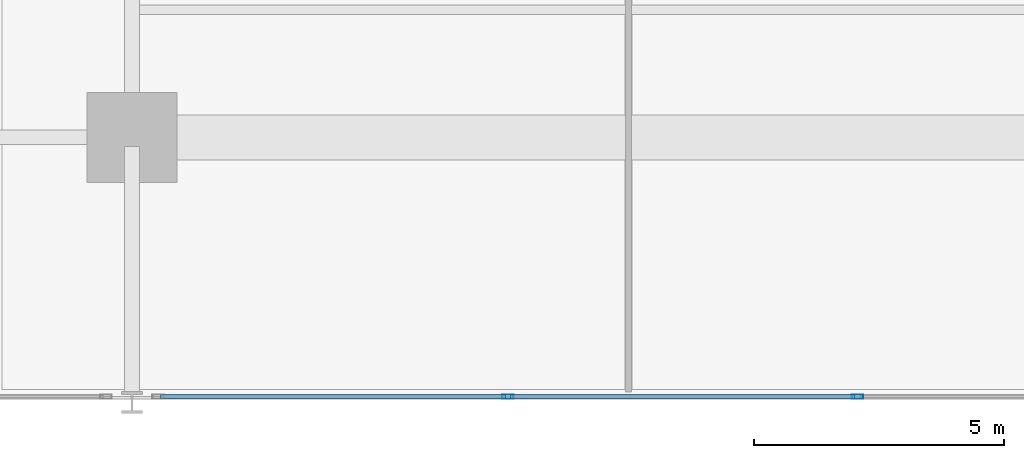
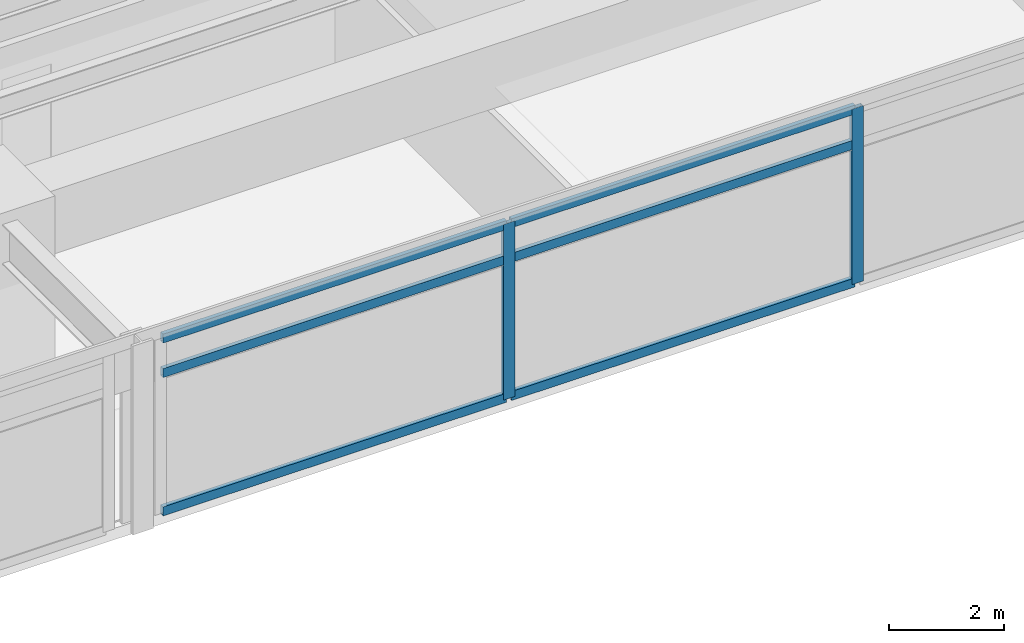
# One storey, part 4 of 20: 8 members, 1 element without a shape of its own.
"""IFC4 building model written with IfcOpenShell, lengths in metres."""

from ifc_helpers import new_model, si_unit, direction, frame, origin, origin_2d, place, context, subcontext, project, spatial, hollow_rectangle, extrude, material, material_profile, profile_set, type_object, element, aggregate, save


model = new_model("IFC4")

# Units and contexts
model_context = context("Model", 3, precision=1e-05, world=origin(), true_north=direction((0.0, 1.0)))
body_context = subcontext(model_context, "Body", "Model", "MODEL_VIEW")
ifc_project = project(units=[si_unit("LENGTHUNIT", "METRE"), si_unit("AREAUNIT", "SQUARE_METRE"), si_unit("VOLUMEUNIT", "CUBIC_METRE"), si_unit("PLANEANGLEUNIT", "RADIAN"), si_unit("MASSUNIT", "GRAM", prefix="KILO")], contexts=[model_context])

# Site, building, storey
site_placement = place(None, origin())
site = spatial("IfcSite", under=ifc_project, at=site_placement, CompositionType="ELEMENT")
building_placement = place(site_placement, origin())
building = spatial("IfcBuilding", under=site, at=building_placement, Name="Kovane Verandah Tower", CompositionType="ELEMENT")
storey_placement = place(building_placement, frame((0.0, 0.0, 39.60009765625)))
storey = spatial("IfcBuildingStorey", under=building, at=storey_placement, Name="L08", CompositionType="ELEMENT", Elevation=39.60009765625)

# Curtain wall, members
ifc_material_1 = material(Name="Champagne Anodised Aluminium Frame with Low-E Clear Laminated Glass", Category="aluminium")
curtain_wall_type = type_object("IfcCurtainWallType", Name="CW-SYS-02-LOW", PredefinedType="NOTDEFINED", material=ifc_material_1)
curtain_wall_placement = place(storey_placement, origin())
curtain_wall = element("IfcCurtainWall", 1, at=curtain_wall_placement, inside=storey, type_object=curtain_wall_type, Name="L08 S Unitised Curtain Wall-2", PredefinedType="NOTDEFINED")
ifc_material_2 = material(Name="Champagne Anodised Aluminium 6063-T6", Category="aluminium")
ifc_material_profile_1 = material_profile(ifc_material_2, hollow_rectangle(XDim=0.0849609375, YDim=0.22998046875, WallThickness=0.00390625, at=origin_2d()), Name="AL85x230x4")
ifc_profile_set_1 = profile_set([ifc_material_profile_1], Name="Champagne Anodised Aluminium 6063-T6")
member_type_1 = type_object("IfcMemberType", Name="CW-MUL-85x230", PredefinedType="MULLION", material=ifc_profile_set_1)
member_1_placement = place(storey_placement, frame((36.506591796875, 5.617919921875, 0.02001953125), z_axis=(0.0, 0.0, 1.0), x_axis=(0.0, -1.0, 0.0)))
member_1 = element("IfcMember", 2, at=member_1_placement, type_object=member_type_1, Name="L08 S Unitised Curtain Wall-2 Mullion 2", PredefinedType="MULLION", context=body_context, shape_type="SweptSolid", body=[
    extrude(hollow_rectangle(XDim=0.0849609375, YDim=0.22998046875, WallThickness=0.00390625, at=origin_2d()), origin(), (0.0, 0.0, 1.0), 3.719970703125),
])
member_2_placement = place(storey_placement, frame((43.493408203125, 5.617919921875, 0.02001953125), z_axis=(0.0, 0.0, 1.0), x_axis=(0.0, -1.0, 0.0)))
member_2 = element("IfcMember", 3, at=member_2_placement, type_object=member_type_1, Name="L08 S Unitised Curtain Wall-2 Mullion 3", PredefinedType="MULLION", context=body_context, shape_type="SweptSolid", body=[
    extrude(hollow_rectangle(XDim=0.0849609375, YDim=0.22998046875, WallThickness=0.00390625, at=origin_2d()), origin(), (0.0, 0.0, 1.0), 3.719970703125),
])
ifc_material_profile_2 = material_profile(ifc_material_2, hollow_rectangle(XDim=0.0849609375, YDim=0.18994140625, WallThickness=0.00390625, at=origin_2d()), Name="AL85x190x4")
ifc_profile_set_2 = profile_set([ifc_material_profile_2], Name="Champagne Anodised Aluminium 6063-T6")
member_type_2 = type_object("IfcMemberType", Name="CW-TRN-85x190", PredefinedType="USERDEFINED", material=ifc_profile_set_2)
member_3_placement = place(storey_placement, frame((29.570068359375, 5.617919921875, 0.0498046875), z_axis=(1.0, 0.0, 0.0), x_axis=(0.0, 1.0, 0.0)))
member_3 = element("IfcMember", 4, at=member_3_placement, type_object=member_type_2, Name="L08 S Unitised Curtain Wall-2 Transom TB Bay 1", ObjectType="TRANSOM", PredefinedType="USERDEFINED", context=body_context, shape_type="SweptSolid", body=[
    extrude(hollow_rectangle(XDim=0.0849609375, YDim=0.18994140625, WallThickness=0.00390625, at=origin_2d()), origin(), (0.0, 0.0, 1.0), 6.88671875),
])
member_4_placement = place(storey_placement, frame((29.570068359375, 5.617919921875, 2.97998046875), z_axis=(1.0, 0.0, 0.0), x_axis=(0.0, 1.0, 0.0)))
member_4 = element("IfcMember", 5, at=member_4_placement, type_object=member_type_2, Name="L08 S Unitised Curtain Wall-2 Transom TM Bay 1", ObjectType="TRANSOM", PredefinedType="USERDEFINED", context=body_context, shape_type="SweptSolid", body=[
    extrude(hollow_rectangle(XDim=0.0849609375, YDim=0.18994140625, WallThickness=0.00390625, at=origin_2d()), origin(), (0.0, 0.0, 1.0), 6.88671875),
])
member_5_placement = place(storey_placement, frame((29.570068359375, 5.617919921875, 3.7099609375), z_axis=(1.0, 0.0, 0.0), x_axis=(0.0, 1.0, 0.0)))
member_5 = element("IfcMember", 6, at=member_5_placement, type_object=member_type_2, Name="L08 S Unitised Curtain Wall-2 Transom TT Bay 1", ObjectType="TRANSOM", PredefinedType="USERDEFINED", context=body_context, shape_type="SweptSolid", body=[
    extrude(hollow_rectangle(XDim=0.0849609375, YDim=0.18994140625, WallThickness=0.00390625, at=origin_2d()), origin(), (0.0, 0.0, 1.0), 6.88671875),
])
member_6_placement = place(storey_placement, frame((36.556640625, 5.617919921875, 0.0498046875), z_axis=(1.0, 0.0, 0.0), x_axis=(0.0, 1.0, 0.0)))
member_6 = element("IfcMember", 7, at=member_6_placement, type_object=member_type_2, Name="L08 S Unitised Curtain Wall-2 Transom TB Bay 2", ObjectType="TRANSOM", PredefinedType="USERDEFINED", context=body_context, shape_type="SweptSolid", body=[
    extrude(hollow_rectangle(XDim=0.0849609375, YDim=0.18994140625, WallThickness=0.00390625, at=origin_2d()), origin(), (0.0, 0.0, 1.0), 6.88671875),
])
member_7_placement = place(storey_placement, frame((36.556640625, 5.617919921875, 2.97998046875), z_axis=(1.0, 0.0, 0.0), x_axis=(0.0, 1.0, 0.0)))
member_7 = element("IfcMember", 8, at=member_7_placement, type_object=member_type_2, Name="L08 S Unitised Curtain Wall-2 Transom TM Bay 2", ObjectType="TRANSOM", PredefinedType="USERDEFINED", context=body_context, shape_type="SweptSolid", body=[
    extrude(hollow_rectangle(XDim=0.0849609375, YDim=0.18994140625, WallThickness=0.00390625, at=origin_2d()), origin(), (0.0, 0.0, 1.0), 6.88671875),
])
member_8_placement = place(storey_placement, frame((36.556640625, 5.617919921875, 3.7099609375), z_axis=(1.0, 0.0, 0.0), x_axis=(0.0, 1.0, 0.0)))
member_8 = element("IfcMember", 9, at=member_8_placement, type_object=member_type_2, Name="L08 S Unitised Curtain Wall-2 Transom TT Bay 2", ObjectType="TRANSOM", PredefinedType="USERDEFINED", context=body_context, shape_type="SweptSolid", body=[
    extrude(hollow_rectangle(XDim=0.0849609375, YDim=0.18994140625, WallThickness=0.00390625, at=origin_2d()), origin(), (0.0, 0.0, 1.0), 6.88671875),
])
aggregate(curtain_wall, [member_1, member_2, member_3, member_4, member_5, member_6, member_7, member_8])

save(model, "model.ifc")
